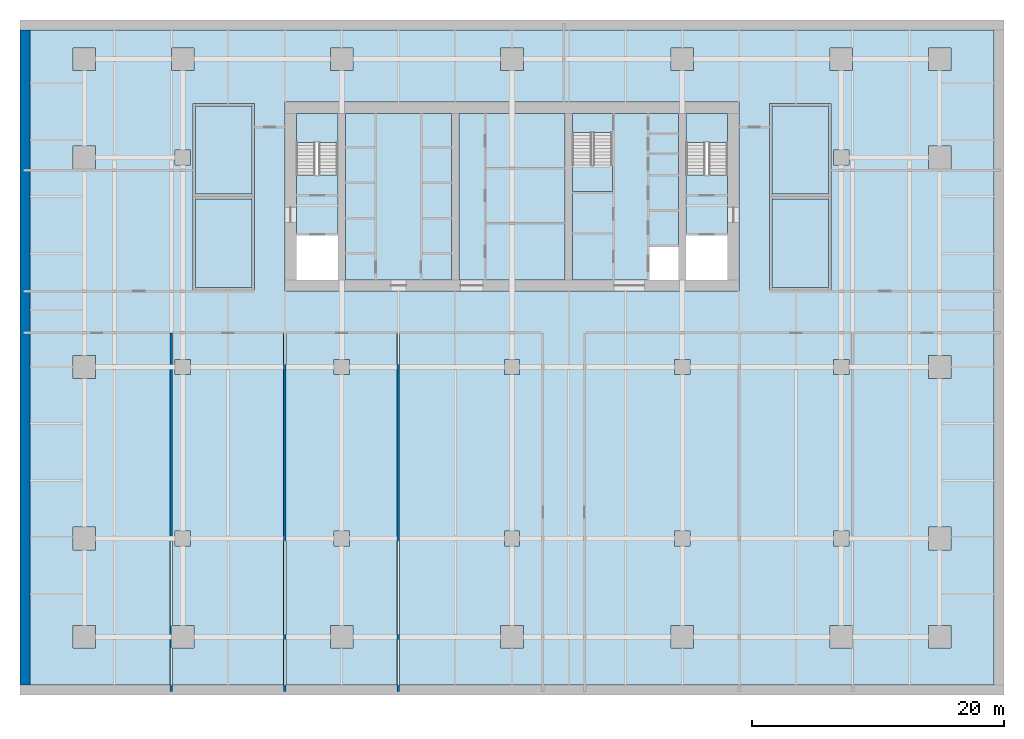
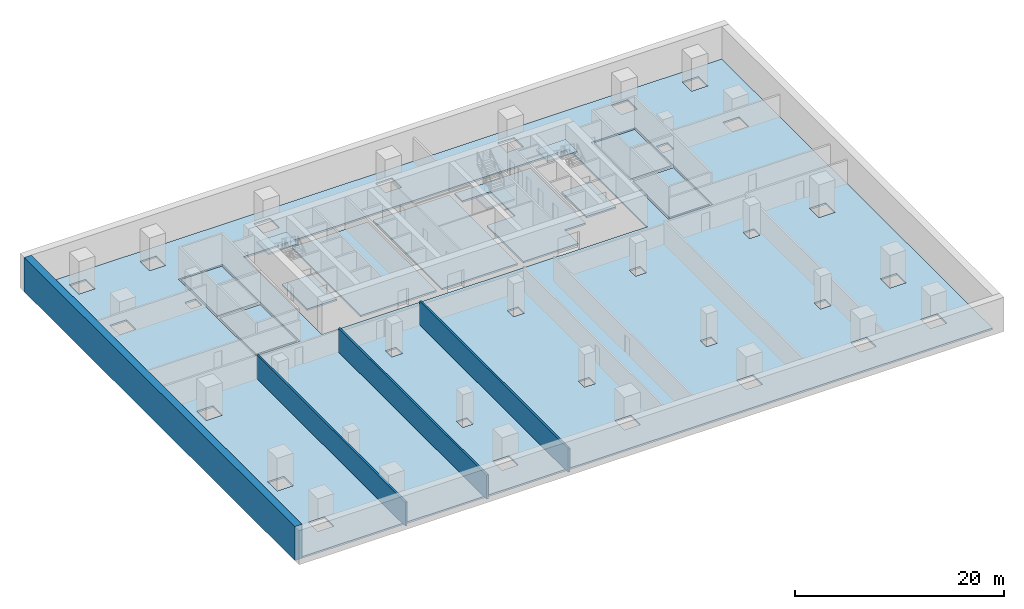
# One storey, part 3 of 10: 13 slabs, 4 walls, 3 elements without a shape of their own.
"""IFC4 building model written with IfcOpenShell, lengths in metres."""

import ifcopenshell
import ifcopenshell.guid

model = None  # the IFC model being written
_history = None  # IfcOwnerHistory: only IFC2X3 demands one
_inside = {}  # id of a spatial element -> (the spatial element, [elements in it])
_under = {}  # id of a project, library or spatial element -> (it, [spatial elements below it])
_declared = {}  # id of a project -> (the project, [libraries it declares])
_typed = {}  # id of a type object -> (the type object, [elements of that type])
_made_of = {}  # id of a material, layer set ... -> (it, [elements and type objects made of it])


def new_model(schema):
    """Start an empty IFC model of exactly this schema.

    Asked for "IFC4X3", IfcOpenShell would pick the latest addendum, in which some entities
    have other attributes; the version numbers below select the first issue.
    IFC2X3 requires an IfcOwnerHistory on every rooted entity: one is made here for all.
    """
    global model, _history
    if schema == "IFC4X3":
        model = ifcopenshell.file(schema_version=(4, 3, 0, 0))
    else:
        model = ifcopenshell.file(schema=schema)
    _inside.clear()
    _under.clear()
    _declared.clear()
    _typed.clear()
    _made_of.clear()
    _history = None
    if model.schema == "IFC2X3":
        org = make("IfcOrganization", Name="unknown")
        user = make(
            "IfcPersonAndOrganization",
            ThePerson=make("IfcPerson", FamilyName="unknown"),
            TheOrganization=org,
        )
        app = make(
            "IfcApplication",
            ApplicationDeveloper=org,
            Version="unknown",
            ApplicationFullName="unknown",
            ApplicationIdentifier="unknown",
        )
        _history = make(
            "IfcOwnerHistory",
            OwningUser=user,
            OwningApplication=app,
            ChangeAction="ADDED",
            CreationDate=0,
        )
    return model


def make(cls, **values):
    """One entity of the class cls with the attributes given. An attribute that is None is left unset."""
    return model.create_entity(
        cls, **{name: value for name, value in values.items() if value is not None}
    )


def rooted(cls, **values):
    """An entity with a GlobalId (a new one), such as an element, a storey or a relation."""
    return make(cls, GlobalId=ifcopenshell.guid.new(), OwnerHistory=_history, **values)


def si_unit(unit_type, name, prefix=None):
    """IfcSIUnit, for example si_unit("LENGTHUNIT", "METRE", prefix="MILLI")."""
    return make("IfcSIUnit", UnitType=unit_type, Prefix=prefix, Name=name)


def assignment(units):
    """IfcUnitAssignment: the units of a project."""
    return None if units is None else make("IfcUnitAssignment", Units=units)


def point(xyz):
    """IfcCartesianPoint."""
    return None if xyz is None else make("IfcCartesianPoint", Coordinates=xyz)


def direction(xyz):
    """IfcDirection."""
    return None if xyz is None else make("IfcDirection", DirectionRatios=xyz)


def frame(location, z_axis=None, x_axis=None):
    """IfcAxis2Placement3D, a coordinate frame: its origin and axes. An axis left out is left unset."""
    return make(
        "IfcAxis2Placement3D",
        Location=point(location),
        Axis=direction(z_axis),
        RefDirection=direction(x_axis),
    )


def frame_2d(location, x_axis=None):
    """IfcAxis2Placement2D, a coordinate frame in the plane: its origin and x axis."""
    return make(
        "IfcAxis2Placement2D", Location=point(location), RefDirection=direction(x_axis)
    )


def origin():
    """The frame at (0, 0, 0) with its axes left unset."""
    return frame((0.0, 0.0, 0.0))


def place(relative_to, where):
    """IfcLocalPlacement: puts the frame where relative to a parent placement (None: the world)."""
    return make(
        "IfcLocalPlacement", PlacementRelTo=relative_to, RelativePlacement=where
    )


def context(
    kind, dimensions, precision=None, world=None, true_north=None, identifier=None
):
    """IfcGeometricRepresentationContext, for example the 3D "Model" context."""
    return make(
        "IfcGeometricRepresentationContext",
        ContextIdentifier=identifier,
        ContextType=kind,
        CoordinateSpaceDimension=dimensions,
        Precision=precision,
        WorldCoordinateSystem=world,
        TrueNorth=true_north,
    )


def subcontext(parent, identifier, kind, view, scale=None):
    """IfcGeometricRepresentationSubContext, for example "Body" below "Model"."""
    return make(
        "IfcGeometricRepresentationSubContext",
        ContextIdentifier=identifier,
        ContextType=kind,
        ParentContext=parent,
        TargetScale=scale,
        TargetView=view,
    )


def project(units=None, contexts=None):
    """IfcProject with its units and contexts."""
    return rooted(
        "IfcProject",
        Name="project",
        RepresentationContexts=contexts,
        UnitsInContext=assignment(units),
    )


def spatial(cls, under=None, at=None, **own):
    """A site, building, storey or space (cls), placed at a placement, below another one or the project."""
    s = rooted(cls, ObjectPlacement=at, **own)
    if under is not None:
        _under.setdefault(under.id(), (under, []))[1].append(s)
    return s


def polyline(points):
    """IfcPolyline through the points."""
    return make("IfcPolyline", Points=[point(p) for p in points])


def profile(cls, at=None, kind="AREA", **sizes):
    """A parametric profile (cls). Its sizes go by their IFC names, for example OverallWidth=200.0."""
    return make(cls, ProfileType=kind, Position=at, **sizes)


def rectangle(**sizes):
    """IfcRectangleProfileDef."""
    return profile("IfcRectangleProfileDef", **sizes)


def outline(outer, holes=None, kind="AREA"):
    """IfcArbitraryClosedProfileDef: a profile drawn as a closed curve; with holes, ...WithVoids."""
    if holes is None:
        return make("IfcArbitraryClosedProfileDef", ProfileType=kind, OuterCurve=outer)
    return make(
        "IfcArbitraryProfileDefWithVoids",
        ProfileType=kind,
        OuterCurve=outer,
        InnerCurves=holes,
    )


def extrude(swept, where, along, depth):
    """IfcExtrudedAreaSolid: the profile swept, set in the frame where, extruded along a direction by depth."""
    return make(
        "IfcExtrudedAreaSolid",
        SweptArea=swept,
        Position=where,
        ExtrudedDirection=direction(along),
        Depth=depth,
    )


def shape(context_of_items, identifier, shape_type, items):
    """IfcShapeRepresentation: the items that make up one representation, for example the "Body"."""
    return make(
        "IfcShapeRepresentation",
        ContextOfItems=context_of_items,
        RepresentationIdentifier=identifier,
        RepresentationType=shape_type,
        Items=items,
    )


def material(Name=None, Category=None):
    """IfcMaterial."""
    return make("IfcMaterial", Name=Name, Category=Category)


def layer(
    of_material, thickness, ventilated=None, Name=None, Category=None, Priority=None
):
    """IfcMaterialLayer: one layer of a wall or slab, of a material (None: an air gap)."""
    return make(
        "IfcMaterialLayer",
        Material=of_material,
        LayerThickness=thickness,
        IsVentilated=ventilated,
        Name=Name,
        Category=Category,
        Priority=Priority,
    )


def layer_set(layers, Name=None):
    """IfcMaterialLayerSet."""
    return make("IfcMaterialLayerSet", MaterialLayers=layers, LayerSetName=Name)


def made_of(thing, what):
    """Note that an element or type object is made of a material, layer set ...; save() writes the relation."""
    if what is not None:
        _made_of.setdefault(what.id(), (what, []))[1].append(thing)
    return thing


def type_object(cls, material=None, **own):
    """A type object (cls), such as IfcWallType, which elements share."""
    return made_of(rooted(cls, **own), material)


def element(
    cls,
    number,
    at=None,
    inside=None,
    cuts=None,
    type_object=None,
    material=None,
    context=None,
    identifier="Body",
    shape_type=None,
    held_by="IfcProductDefinitionShape",
    body=None,
    shapes=None,
    **own,
):
    """One element of the class cls, such as IfcWall. Its Tag is "e" and its number.

    at: its placement. inside: the storey or other place that contains it. cuts: it is an
    opening in that element (IfcRelVoidsElement). A single representation is given by context,
    identifier, shape_type and body (its items); several are given by shapes. held_by: the class
    of the entity that holds the representations. save() writes the other relations.
    """
    e = rooted(cls, Tag="e%d" % number, ObjectPlacement=at, **own)
    if body is not None:
        shapes = [shape(context, identifier, shape_type, body)]
    if shapes is not None:
        e.Representation = make(held_by, Representations=shapes)
    if inside is not None:
        _inside.setdefault(inside.id(), (inside, []))[1].append(e)
    if cuts is not None:
        rooted(
            "IfcRelVoidsElement", RelatingBuildingElement=cuts, RelatedOpeningElement=e
        )
    if type_object is not None:
        _typed.setdefault(type_object.id(), (type_object, []))[1].append(e)
    return made_of(e, material)


def aggregate(whole, parts):
    """IfcRelAggregates: a whole, such as a stair, and the parts it consists of."""
    return rooted("IfcRelAggregates", RelatingObject=whole, RelatedObjects=parts)


def save(model, path):
    """Write the relations noted so far, then the file.

    IfcRelAggregates (storeys below a building ...), IfcRelContainedInSpatialStructure (elements
    in a storey), IfcRelDefinesByType, IfcRelAssociatesMaterial and IfcRelDeclares: one each for
    every whole, place, type object, material and project.
    """
    for whole, parts in _under.values():
        aggregate(whole, parts)
    for where, things in _inside.values():
        rooted(
            "IfcRelContainedInSpatialStructure",
            RelatedElements=things,
            RelatingStructure=where,
        )
    for kind, things in _typed.values():
        rooted("IfcRelDefinesByType", RelatedObjects=things, RelatingType=kind)
    for what, things in _made_of.values():
        rooted("IfcRelAssociatesMaterial", RelatedObjects=things, RelatingMaterial=what)
    for by, libraries in _declared.values():
        rooted("IfcRelDeclares", RelatingContext=by, RelatedDefinitions=libraries)
    model.write(path)


model = new_model("IFC4")

# Units and contexts
model_context = context("Model", 3, precision=1e-05, world=origin(), true_north=direction((0.0, 1.0)))
body_context = subcontext(model_context, "Body", "Model", "MODEL_VIEW")
ifc_project = project(units=[si_unit("LENGTHUNIT", "METRE"), si_unit("AREAUNIT", "SQUARE_METRE"), si_unit("VOLUMEUNIT", "CUBIC_METRE"), si_unit("PLANEANGLEUNIT", "RADIAN"), si_unit("MASSUNIT", "GRAM", prefix="KILO")], contexts=[model_context])

# Site, building, storey
site_placement = place(None, origin())
site = spatial("IfcSite", under=ifc_project, at=site_placement, CompositionType="ELEMENT")
building_placement = place(site_placement, origin())
building = spatial("IfcBuilding", under=site, at=building_placement, Name="Rattan Terrace Tower", CompositionType="ELEMENT")
storey_placement = place(building_placement, frame((0.0, 0.0, -9.5)))
storey = spatial("IfcBuildingStorey", under=building, at=storey_placement, Name="B2", CompositionType="ELEMENT", Elevation=-9.5)

# Stair, slab
ifc_material_1 = material(Name="Concrete C40/50", Category="concrete")
stair_type = type_object("IfcStairType", Name="Core exit stair 1500", PredefinedType="HALF_TURN_STAIR", material=ifc_material_1)
stair_1_placement = place(storey_placement, origin())
stair_1 = element("IfcStair", 1, at=stair_1_placement, inside=storey, type_object=stair_type, Name="B2 exit stair 1", PredefinedType="HALF_TURN_STAIR")
ifc_material_2 = material(Name="Concrete C40/50", Category="concrete")
ifc_layer_1 = layer(ifc_material_2, 0.199951171875)
ifc_layer_set_1 = layer_set([ifc_layer_1], Name="Core exit stair landing")
slab_type_1 = type_object("IfcSlabType", Name="Core exit stair landing", PredefinedType="LANDING", material=ifc_layer_set_1)
slab_1_placement = place(storey_placement, frame((0.0, 0.0, 1.800048828125)))
slab_1 = element("IfcSlab", 2, at=slab_1_placement, type_object=slab_type_1, Name="S1 landing 1", PredefinedType="LANDING", context=body_context, shape_type="SweptSolid", body=[
    extrude(outline(polyline([(-13.800048828125, 4.300048828125), (-13.800048828125, 6.60009765625), (-17.10009765625, 6.60009765625), (-17.10009765625, 4.300048828125), (-13.800048828125, 4.300048828125)])), origin(), (0.0, 0.0, 1.0), 0.199951171875),
])
aggregate(stair_1, [slab_1])

stair_2_placement = place(storey_placement, origin())
stair_2 = element("IfcStair", 3, at=stair_2_placement, inside=storey, type_object=stair_type, Name="B2 exit stair 2", PredefinedType="HALF_TURN_STAIR")
slab_2_placement = place(storey_placement, frame((0.0, 0.0, 1.800048828125)))
slab_2 = element("IfcSlab", 4, at=slab_2_placement, type_object=slab_type_1, Name="S2 landing 1", PredefinedType="LANDING", context=body_context, shape_type="SweptSolid", body=[
    extrude(outline(polyline([(17.10009765625, 4.300048828125), (17.10009765625, 6.60009765625), (13.800048828125, 6.60009765625), (13.800048828125, 4.300048828125), (17.10009765625, 4.300048828125)])), origin(), (0.0, 0.0, 1.0), 0.199951171875),
])
aggregate(stair_2, [slab_2])

stair_3_placement = place(storey_placement, origin())
stair_3 = element("IfcStair", 5, at=stair_3_placement, inside=storey, type_object=stair_type, Name="B2 exit stair 3", PredefinedType="HALF_TURN_STAIR")
slab_3_placement = place(storey_placement, frame((0.0, 0.0, 1.800048828125)))
slab_3 = element("IfcSlab", 6, at=slab_3_placement, type_object=slab_type_1, Name="S3 landing 1", PredefinedType="LANDING", context=body_context, shape_type="SweptSolid", body=[
    extrude(outline(polyline([(4.800048828125, 2.5), (4.800048828125, 0.39990234375), (7.949951171875, 0.39990234375), (7.949951171875, 2.5), (4.800048828125, 2.5)])), origin(), (0.0, 0.0, 1.0), 0.199951171875),
])
aggregate(stair_3, [slab_3])

# Slabs
ifc_material_3 = material(Name="Concrete C35/45", Category="concrete")
ifc_layer_2 = layer(ifc_material_3, 0.199951171875)
ifc_layer_set_2 = layer_set([ifc_layer_2], Name="Frame composite floor slab 200")
slab_type_2 = type_object("IfcSlabType", Name="Frame composite floor slab 200", PredefinedType="FLOOR", material=ifc_layer_set_2)
slab_4_placement = place(storey_placement, frame((0.0, 0.0, -0.199951171875)))
element("IfcSlab", 7, at=slab_4_placement, inside=storey, type_object=slab_type_2, Name="Floor slab", PredefinedType="FLOOR", context=body_context, shape_type="SweptSolid", body=[
    extrude(outline(polyline([(-38.199951171875, -38.699951171875), (38.199951171875, -38.699951171875), (38.199951171875, 13.199951171875), (-38.199951171875, 13.199951171875), (-38.199951171875, -38.699951171875)]), holes=[polyline([(-34.800048828125, -35.800048828125), (-33.0, -35.800048828125), (-33.0, -34.0), (-34.800048828125, -34.0), (-34.800048828125, -35.800048828125)]), polyline([(-27.0, -34.0), (-27.0, -35.800048828125), (-25.199951171875, -35.800048828125), (-25.199951171875, -34.0), (-27.0, -34.0)]), polyline([(-34.800048828125, -28.0), (-33.0, -28.0), (-33.0, -26.199951171875), (-34.800048828125, -26.199951171875), (-34.800048828125, -28.0)]), polyline([(-26.699951171875, -26.5), (-26.699951171875, -27.699951171875), (-25.5, -27.699951171875), (-25.5, -26.5), (-26.699951171875, -26.5)]), polyline([(-34.800048828125, -14.39990234375), (-33.0, -14.39990234375), (-33.0, -12.60009765625), (-34.800048828125, -12.60009765625), (-34.800048828125, -14.39990234375)]), polyline([(-26.699951171875, -12.89990234375), (-26.699951171875, -14.10009765625), (-25.5, -14.10009765625), (-25.5, -12.89990234375), (-26.699951171875, -12.89990234375)]), polyline([(-25.10009765625, -7.39990234375), (-20.60009765625, -7.39990234375), (-20.60009765625, -7.39990234375), (-20.39990234375, -7.39990234375), (-20.39990234375, 0.0), (-20.39990234375, 7.39990234375), (-20.60009765625, 7.39990234375), (-20.60009765625, 7.39990234375), (-25.10009765625, 7.39990234375), (-25.10009765625, 7.39990234375), (-25.300048828125, 7.39990234375), (-25.300048828125, 0.0), (-25.300048828125, -7.39990234375), (-25.10009765625, -7.39990234375), (-25.10009765625, -7.39990234375)]), polyline([(18.0, -6.60009765625), (18.0, 6.60009765625), (18.0, 7.5), (-18.0, 7.5), (-18.0, 6.60009765625), (-18.0, -6.60009765625), (-18.0, -7.5), (18.0, -7.5), (18.0, -6.60009765625)]), polyline([(-26.699951171875, 3.699951171875), (-26.699951171875, 2.5), (-25.5, 2.5), (-25.5, 3.699951171875), (-26.699951171875, 3.699951171875)]), polyline([(-34.800048828125, 2.199951171875), (-33.0, 2.199951171875), (-33.0, 4.0), (-34.800048828125, 4.0), (-34.800048828125, 2.199951171875)]), polyline([(-27.0, 11.800048828125), (-27.0, 10.0), (-25.199951171875, 10.0), (-25.199951171875, 11.800048828125), (-27.0, 11.800048828125)]), polyline([(-34.800048828125, 11.800048828125), (-34.800048828125, 10.0), (-33.0, 10.0), (-33.0, 11.800048828125), (-34.800048828125, 11.800048828125)]), polyline([(-14.39990234375, -34.0), (-14.39990234375, -35.800048828125), (-12.60009765625, -35.800048828125), (-12.60009765625, -34.0), (-14.39990234375, -34.0)]), polyline([(12.60009765625, -34.0), (12.60009765625, -35.800048828125), (14.39990234375, -35.800048828125), (14.39990234375, -34.0), (12.60009765625, -34.0)]), polyline([(-0.89990234375, -34.0), (-0.89990234375, -35.800048828125), (0.89990234375, -35.800048828125), (0.89990234375, -34.0), (-0.89990234375, -34.0)]), polyline([(-14.10009765625, -26.5), (-14.10009765625, -27.699951171875), (-12.89990234375, -27.699951171875), (-12.89990234375, -26.5), (-14.10009765625, -26.5)]), polyline([(12.89990234375, -26.5), (12.89990234375, -27.699951171875), (14.10009765625, -27.699951171875), (14.10009765625, -26.5), (12.89990234375, -26.5)]), polyline([(-0.60009765625, -26.5), (-0.60009765625, -27.699951171875), (0.60009765625, -27.699951171875), (0.60009765625, -26.5), (-0.60009765625, -26.5)]), polyline([(-14.10009765625, -12.89990234375), (-14.10009765625, -14.10009765625), (-12.89990234375, -14.10009765625), (-12.89990234375, -12.89990234375), (-14.10009765625, -12.89990234375)]), polyline([(12.89990234375, -12.89990234375), (12.89990234375, -14.10009765625), (14.10009765625, -14.10009765625), (14.10009765625, -12.89990234375), (12.89990234375, -12.89990234375)]), polyline([(-0.60009765625, -12.89990234375), (-0.60009765625, -14.10009765625), (0.60009765625, -14.10009765625), (0.60009765625, -12.89990234375), (-0.60009765625, -12.89990234375)]), polyline([(-0.89990234375, 11.800048828125), (-0.89990234375, 10.0), (0.89990234375, 10.0), (0.89990234375, 11.800048828125), (-0.89990234375, 11.800048828125)]), polyline([(-14.39990234375, 11.800048828125), (-14.39990234375, 10.0), (-12.60009765625, 10.0), (-12.60009765625, 11.800048828125), (-14.39990234375, 11.800048828125)]), polyline([(12.60009765625, 11.800048828125), (12.60009765625, 10.0), (14.39990234375, 10.0), (14.39990234375, 11.800048828125), (12.60009765625, 11.800048828125)]), polyline([(33.0, -34.0), (33.0, -35.800048828125), (34.800048828125, -35.800048828125), (34.800048828125, -34.0), (33.0, -34.0)]), polyline([(25.199951171875, -34.0), (25.199951171875, -35.800048828125), (27.0, -35.800048828125), (27.0, -34.0), (25.199951171875, -34.0)]), polyline([(33.0, -28.0), (34.800048828125, -28.0), (34.800048828125, -26.199951171875), (33.0, -26.199951171875), (33.0, -28.0)]), polyline([(25.5, -26.5), (25.5, -27.699951171875), (26.699951171875, -27.699951171875), (26.699951171875, -26.5), (25.5, -26.5)]), polyline([(25.5, -12.89990234375), (25.5, -14.10009765625), (26.699951171875, -14.10009765625), (26.699951171875, -12.89990234375), (25.5, -12.89990234375)]), polyline([(33.0, -14.39990234375), (34.800048828125, -14.39990234375), (34.800048828125, -12.60009765625), (33.0, -12.60009765625), (33.0, -14.39990234375)]), polyline([(25.10009765625, -7.39990234375), (25.300048828125, -7.39990234375), (25.300048828125, 0.0), (25.300048828125, 7.39990234375), (25.10009765625, 7.39990234375), (25.10009765625, 7.39990234375), (20.60009765625, 7.39990234375), (20.60009765625, 7.39990234375), (20.39990234375, 7.39990234375), (20.39990234375, 0.0), (20.39990234375, -7.39990234375), (20.60009765625, -7.39990234375), (20.60009765625, -7.39990234375), (25.10009765625, -7.39990234375), (25.10009765625, -7.39990234375)]), polyline([(25.5, 3.699951171875), (25.5, 2.5), (26.699951171875, 2.5), (26.699951171875, 3.699951171875), (25.5, 3.699951171875)]), polyline([(33.0, 2.199951171875), (34.800048828125, 2.199951171875), (34.800048828125, 4.0), (33.0, 4.0), (33.0, 2.199951171875)]), polyline([(25.199951171875, 11.800048828125), (25.199951171875, 10.0), (27.0, 10.0), (27.0, 11.800048828125), (25.199951171875, 11.800048828125)]), polyline([(33.0, 11.800048828125), (33.0, 10.0), (34.800048828125, 10.0), (34.800048828125, 11.800048828125), (33.0, 11.800048828125)])]), origin(), (0.0, 0.0, 1.0), 0.199951171875),
])
slab_5_placement = place(storey_placement, frame((0.0, 0.0, -0.199951171875)))
element("IfcSlab", 8, at=slab_5_placement, inside=storey, type_object=slab_type_2, Name="Floor slab", PredefinedType="FLOOR", context=body_context, shape_type="SweptSolid", body=[
    extrude(outline(polyline([(-20.60009765625, 0.199951171875), (-20.60009765625, 7.199951171875), (-25.10009765625, 7.199951171875), (-25.10009765625, 0.199951171875), (-20.60009765625, 0.199951171875)])), origin(), (0.0, 0.0, 1.0), 0.199951171875),
])
slab_6_placement = place(storey_placement, frame((0.0, 0.0, -0.199951171875)))
element("IfcSlab", 9, at=slab_6_placement, inside=storey, type_object=slab_type_2, Name="Floor slab", PredefinedType="FLOOR", context=body_context, shape_type="SweptSolid", body=[
    extrude(outline(polyline([(-20.60009765625, -0.199951171875), (-25.10009765625, -0.199951171875), (-25.10009765625, -7.199951171875), (-20.60009765625, -7.199951171875), (-20.60009765625, -0.199951171875)])), origin(), (0.0, 0.0, 1.0), 0.199951171875),
])
slab_7_placement = place(storey_placement, frame((0.0, 0.0, -0.199951171875)))
element("IfcSlab", 10, at=slab_7_placement, inside=storey, type_object=slab_type_2, Name="Floor slab", PredefinedType="FLOOR", context=body_context, shape_type="SweptSolid", body=[
    extrude(outline(polyline([(-13.800048828125, 1.7099609375), (-17.10009765625, 1.7099609375), (-17.10009765625, -3.10009765625), (-13.800048828125, -3.10009765625), (-13.800048828125, 1.7099609375)])), origin(), (0.0, 0.0, 1.0), 0.199951171875),
])
slab_8_placement = place(storey_placement, frame((0.0, 0.0, -0.199951171875)))
element("IfcSlab", 11, at=slab_8_placement, inside=storey, type_object=slab_type_2, Name="Floor slab", PredefinedType="FLOOR", context=body_context, shape_type="SweptSolid", body=[
    extrude(outline(polyline([(-13.199951171875, -6.60009765625), (-4.800048828125, -6.60009765625), (-4.800048828125, 6.60009765625), (-13.199951171875, 6.60009765625), (-13.199951171875, -6.60009765625)])), origin(), (0.0, 0.0, 1.0), 0.199951171875),
])
slab_9_placement = place(storey_placement, frame((0.0, 0.0, -0.199951171875)))
element("IfcSlab", 12, at=slab_9_placement, inside=storey, type_object=slab_type_2, Name="Floor slab", PredefinedType="FLOOR", context=body_context, shape_type="SweptSolid", body=[
    extrude(outline(polyline([(-4.199951171875, -6.60009765625), (4.199951171875, -6.60009765625), (4.199951171875, 6.60009765625), (-4.199951171875, 6.60009765625), (-4.199951171875, -6.60009765625)])), origin(), (0.0, 0.0, 1.0), 0.199951171875),
])
slab_10_placement = place(storey_placement, frame((0.0, 0.0, -0.199951171875)))
element("IfcSlab", 13, at=slab_10_placement, inside=storey, type_object=slab_type_2, Name="Floor slab", PredefinedType="FLOOR", context=body_context, shape_type="SweptSolid", body=[
    extrude(outline(polyline([(4.800048828125, -6.60009765625), (10.89990234375, -6.60009765625), (10.89990234375, -4.0), (13.199951171875, -4.0), (13.199951171875, 6.60009765625), (4.800048828125, 6.60009765625), (4.800048828125, 5.090087890625), (7.949951171875, 5.090087890625), (7.949951171875, 0.39990234375), (4.800048828125, 0.39990234375), (4.800048828125, -6.60009765625)])), origin(), (0.0, 0.0, 1.0), 0.199951171875),
])
slab_11_placement = place(storey_placement, frame((0.0, 0.0, -0.199951171875)))
element("IfcSlab", 14, at=slab_11_placement, inside=storey, type_object=slab_type_2, Name="Floor slab", PredefinedType="FLOOR", context=body_context, shape_type="SweptSolid", body=[
    extrude(outline(polyline([(13.800048828125, -3.10009765625), (17.10009765625, -3.10009765625), (17.10009765625, 1.7099609375), (13.800048828125, 1.7099609375), (13.800048828125, -3.10009765625)])), origin(), (0.0, 0.0, 1.0), 0.199951171875),
])
slab_12_placement = place(storey_placement, frame((0.0, 0.0, -0.199951171875)))
element("IfcSlab", 15, at=slab_12_placement, inside=storey, type_object=slab_type_2, Name="Floor slab", PredefinedType="FLOOR", context=body_context, shape_type="SweptSolid", body=[
    extrude(outline(polyline([(25.10009765625, 7.199951171875), (20.60009765625, 7.199951171875), (20.60009765625, 0.199951171875), (25.10009765625, 0.199951171875), (25.10009765625, 7.199951171875)])), origin(), (0.0, 0.0, 1.0), 0.199951171875),
])
slab_13_placement = place(storey_placement, frame((0.0, 0.0, -0.199951171875)))
element("IfcSlab", 16, at=slab_13_placement, inside=storey, type_object=slab_type_2, Name="Floor slab", PredefinedType="FLOOR", context=body_context, shape_type="SweptSolid", body=[
    extrude(outline(polyline([(20.60009765625, -0.199951171875), (20.60009765625, -7.199951171875), (25.10009765625, -7.199951171875), (25.10009765625, -0.199951171875), (20.60009765625, -0.199951171875)])), origin(), (0.0, 0.0, 1.0), 0.199951171875),
])

# Walls
ifc_material_4 = material(Name="Concrete block wall, plastered", Category="concrete")
ifc_layer_3 = layer(ifc_material_4, 0.199951171875)
ifc_layer_set_3 = layer_set([ifc_layer_3], Name="Floors Plant Wall 200")
wall_type_1 = type_object("IfcWallType", Name="Floors Plant Wall 200", PredefinedType="PARTITIONING", material=ifc_layer_set_3)
for number, where, z_axis, x_axis, name in (
    (17, (-27.001953125, -10.800048828125, 0.0), (0.0, 0.0, 1.0), (0.0, -1.0, 0.0), "pt-B2-014"),
    (18, (-18.0, -10.800048828125, 0.0), (0.0, 0.0, 1.0), (0.0, -1.0, 0.0), "pt-B2-015"),
    (19, (-9.0, -10.800048828125, 0.0), (0.0, 0.0, 1.0), (0.0, -1.0, 0.0), "pt-B2-016"),
):
    element("IfcWall", number, at=place(storey_placement, frame(where, z_axis=z_axis, x_axis=x_axis)), inside=storey, type_object=wall_type_1, Name=name, PredefinedType="PARTITIONING", context=body_context, shape_type="SweptSolid", body=[
        extrude(rectangle(XDim=28.43994140625, YDim=0.199951171875, at=frame_2d((14.219970703125, 0.0))), origin(), (0.0, 0.0, 1.0), 2.800048828125),
    ])
ifc_material_5 = material(Name="Concrete C40/50", Category="concrete")
ifc_layer_4 = layer(ifc_material_5, 0.800048828125)
ifc_layer_set_4 = layer_set([ifc_layer_4], Name="Frame basement wall 800")
wall_type_2 = type_object("IfcWallType", Name="Frame basement wall 800", PredefinedType="SOLIDWALL", material=ifc_layer_set_4)
wall_placement = place(storey_placement, frame((-38.60009765625, -38.699951171875, -0.199951171875), z_axis=(0.0, 0.0, 1.0), x_axis=(0.0, 1.0, 0.0)))
element("IfcWall", 20, at=wall_placement, inside=storey, type_object=wall_type_2, Name="Basement wall", PredefinedType="SOLIDWALL", context=body_context, shape_type="SweptSolid", body=[
    extrude(rectangle(XDim=51.89990234375, YDim=0.800048828125, at=frame_2d((25.949951171875, 0.0))), origin(), (0.0, 0.0, 1.0), 4.0),
])

save(model, "model.ifc")
